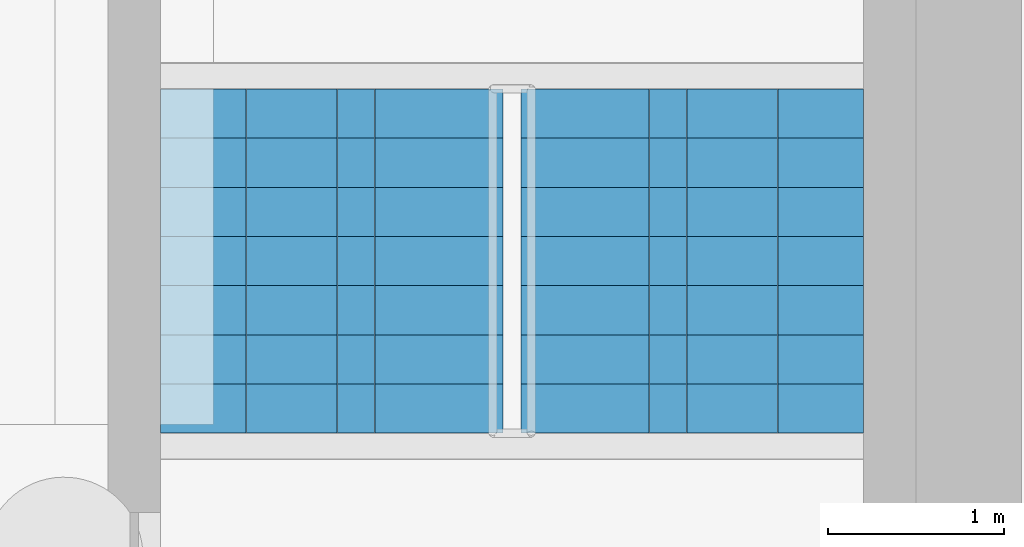
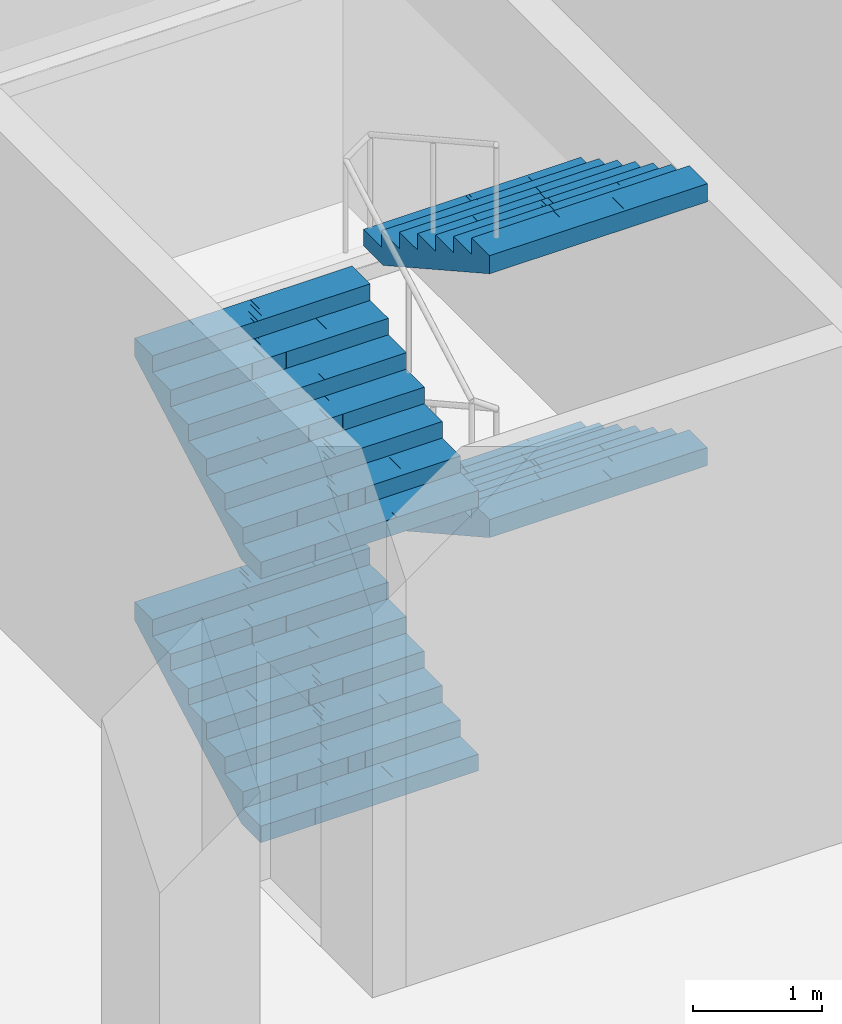
# One storey, part 19 of 31: 4 stair flights, 1 element without a shape of its own.
"""IFC4 building model written with IfcOpenShell, lengths in metres."""

from ifc_helpers import new_model, si_unit, direction, frame, origin, place, context, subcontext, project, spatial, polyline, outline, extrude, material, type_object, element, aggregate, save


model = new_model("IFC4")

# Units and contexts
model_context = context("Model", 3, precision=1e-05, world=origin(), true_north=direction((0.0, 1.0)))
body_context = subcontext(model_context, "Body", "Model", "MODEL_VIEW")
ifc_project = project(units=[si_unit("LENGTHUNIT", "METRE"), si_unit("AREAUNIT", "SQUARE_METRE"), si_unit("VOLUMEUNIT", "CUBIC_METRE"), si_unit("PLANEANGLEUNIT", "RADIAN"), si_unit("MASSUNIT", "GRAM", prefix="KILO")], contexts=[model_context])

# Site, building, storey
site_placement = place(None, origin())
site = spatial("IfcSite", under=ifc_project, at=site_placement, CompositionType="ELEMENT")
building_placement = place(site_placement, origin())
building = spatial("IfcBuilding", under=site, at=building_placement, Name="Mizan Broadcast Tower", CompositionType="ELEMENT")
storey_placement = place(building_placement, frame((0.0, 0.0, -10.0)))
storey = spatial("IfcBuildingStorey", under=building, at=storey_placement, Name="B2", CompositionType="ELEMENT", Elevation=-10.0)

# Stair, stair flights
ifc_material_1 = material(Name="Concrete C40/50", Category="concrete")
stair_type = type_object("IfcStairType", Name="EXIT STAIR", PredefinedType="HALF_TURN_STAIR", material=ifc_material_1)
stair_placement = place(storey_placement, origin())
stair = element("IfcStair", 1, at=stair_placement, inside=storey, type_object=stair_type, Name="Stair H B2", PredefinedType="HALF_TURN_STAIR")
ifc_material_2 = material(Name="Concrete C40/50", Category="concrete")
stair_flight_type = type_object("IfcStairFlightType", Name="EXIT STAIR FLIGHT", PredefinedType="STRAIGHT", material=ifc_material_2)
stair_flight_1_placement = place(storey_placement, frame((44.875, -39.949951171875, 0.0), z_axis=(0.0, 0.0, 1.0), x_axis=(0.0, 1.0, 0.0)))
stair_flight_1 = element("IfcStairFlight", 2, at=stair_flight_1_placement, type_object=stair_flight_type, Name="H flight 1", NumberOfRisers=8, NumberOfTreads=7, PredefinedType="STRAIGHT", RiserHeight=0.15625, TreadLength=0.28, context=body_context, shape_type="SweptSolid", body=[
    extrude(outline(polyline([(0.0, 0.0), (0.0, 0.15625), (0.280029296875, 0.15625), (0.280029296875, 0.3125), (0.56005859375, 0.3125), (0.56005859375, 0.46875), (0.840087890625, 0.46875), (0.840087890625, 0.625), (1.1201171875, 0.625), (1.1201171875, 0.78125), (1.39990234375, 0.78125), (1.39990234375, 0.9375), (1.679931640625, 0.9375), (1.679931640625, 1.09375), (1.9599609375, 1.09375), (1.9599609375, 1.25), (1.9599609375, 0.922119140625), (0.3076171875, 0.0), (0.0, 0.0)])), frame((0.0, 0.97509765625, 0.0), z_axis=(0.0, -1.0, 0.0), x_axis=(1.0, 0.0, 0.0)), (0.0, 0.0, 1.0), 0.4873046875),
    extrude(outline(polyline([(0.0, 0.0), (0.0, 0.15625), (0.280029296875, 0.15625), (0.280029296875, 0.3125), (0.56005859375, 0.3125), (0.56005859375, 0.46875), (0.840087890625, 0.46875), (0.840087890625, 0.625), (1.1201171875, 0.625), (1.1201171875, 0.78125), (1.39990234375, 0.78125), (1.39990234375, 0.9375), (1.679931640625, 0.9375), (1.679931640625, 1.09375), (1.9599609375, 1.09375), (1.9599609375, 1.25), (1.9599609375, 0.922119140625), (0.3076171875, 0.0), (0.0, 0.0)])), frame((0.0, 0.4873046875, 0.0), z_axis=(0.0, -1.0, 0.0), x_axis=(1.0, 0.0, 0.0)), (0.0, 0.0, 1.0), 0.2431640625),
    extrude(outline(polyline([(0.0, 0.0), (0.0, 0.15625), (0.280029296875, 0.15625), (0.280029296875, 0.3125), (0.56005859375, 0.3125), (0.56005859375, 0.46875), (0.840087890625, 0.46875), (0.840087890625, 0.625), (1.1201171875, 0.625), (1.1201171875, 0.78125), (1.39990234375, 0.78125), (1.39990234375, 0.9375), (1.679931640625, 0.9375), (1.679931640625, 1.09375), (1.9599609375, 1.09375), (1.9599609375, 1.25), (1.9599609375, 0.922119140625), (0.3076171875, 0.0), (0.0, 0.0)])), frame((0.0, 0.24365234375, 0.0), z_axis=(0.0, -1.0, 0.0), x_axis=(1.0, 0.0, 0.0)), (0.0, 0.0, 1.0), 0.121337890625),
    extrude(outline(polyline([(0.0, 0.0), (0.0, 0.15625), (0.280029296875, 0.15625), (0.280029296875, 0.3125), (0.56005859375, 0.3125), (0.56005859375, 0.46875), (0.840087890625, 0.46875), (0.840087890625, 0.625), (1.1201171875, 0.625), (1.1201171875, 0.78125), (1.39990234375, 0.78125), (1.39990234375, 0.9375), (1.679931640625, 0.9375), (1.679931640625, 1.09375), (1.9599609375, 1.09375), (1.9599609375, 1.25), (1.9599609375, 0.922119140625), (0.3076171875, 0.0), (0.0, 0.0)])), frame((0.0, 0.121826171875, 0.0), z_axis=(0.0, -1.0, 0.0), x_axis=(1.0, 0.0, 0.0)), (0.0, 0.0, 1.0), 0.060546875),
    extrude(outline(polyline([(0.0, 0.0), (0.0, 0.15625), (0.280029296875, 0.15625), (0.280029296875, 0.3125), (0.56005859375, 0.3125), (0.56005859375, 0.46875), (0.840087890625, 0.46875), (0.840087890625, 0.625), (1.1201171875, 0.625), (1.1201171875, 0.78125), (1.39990234375, 0.78125), (1.39990234375, 0.9375), (1.679931640625, 0.9375), (1.679931640625, 1.09375), (1.9599609375, 1.09375), (1.9599609375, 1.25), (1.9599609375, 0.922119140625), (0.3076171875, 0.0), (0.0, 0.0)])), frame((0.0, 0.060791015625, 0.0), z_axis=(0.0, -1.0, 0.0), x_axis=(1.0, 0.0, 0.0)), (0.0, 0.0, 1.0), 0.030029296875),
    extrude(outline(polyline([(0.0, 0.0), (0.0, 0.15625), (0.280029296875, 0.15625), (0.280029296875, 0.3125), (0.56005859375, 0.3125), (0.56005859375, 0.46875), (0.840087890625, 0.46875), (0.840087890625, 0.625), (1.1201171875, 0.625), (1.1201171875, 0.78125), (1.39990234375, 0.78125), (1.39990234375, 0.9375), (1.679931640625, 0.9375), (1.679931640625, 1.09375), (1.9599609375, 1.09375), (1.9599609375, 1.25), (1.9599609375, 0.922119140625), (0.3076171875, 0.0), (0.0, 0.0)])), frame((0.0, 0.0302734375, 0.0), z_axis=(0.0, -1.0, 0.0), x_axis=(1.0, 0.0, 0.0)), (0.0, 0.0, 1.0), 0.060302734375),
    extrude(outline(polyline([(0.0, 0.0), (0.0, 0.15625), (0.280029296875, 0.15625), (0.280029296875, 0.3125), (0.56005859375, 0.3125), (0.56005859375, 0.46875), (0.840087890625, 0.46875), (0.840087890625, 0.625), (1.1201171875, 0.625), (1.1201171875, 0.78125), (1.39990234375, 0.78125), (1.39990234375, 0.9375), (1.679931640625, 0.9375), (1.679931640625, 1.09375), (1.9599609375, 1.09375), (1.9599609375, 1.25), (1.9599609375, 0.922119140625), (0.3076171875, 0.0), (0.0, 0.0)])), frame((0.0, -0.030517578125, 0.0), z_axis=(0.0, -1.0, 0.0), x_axis=(1.0, 0.0, 0.0)), (0.0, 0.0, 1.0), 0.030029296875),
    extrude(outline(polyline([(0.0, 0.0), (0.0, 0.15625), (0.280029296875, 0.15625), (0.280029296875, 0.3125), (0.56005859375, 0.3125), (0.56005859375, 0.46875), (0.840087890625, 0.46875), (0.840087890625, 0.625), (1.1201171875, 0.625), (1.1201171875, 0.78125), (1.39990234375, 0.78125), (1.39990234375, 0.9375), (1.679931640625, 0.9375), (1.679931640625, 1.09375), (1.9599609375, 1.09375), (1.9599609375, 1.25), (1.9599609375, 0.922119140625), (0.3076171875, 0.0), (0.0, 0.0)])), frame((0.0, -0.06103515625, 0.0), z_axis=(0.0, -1.0, 0.0), x_axis=(1.0, 0.0, 0.0)), (0.0, 0.0, 1.0), 0.060546875),
    extrude(outline(polyline([(0.0, 0.0), (0.0, 0.15625), (0.280029296875, 0.15625), (0.280029296875, 0.3125), (0.56005859375, 0.3125), (0.56005859375, 0.46875), (0.840087890625, 0.46875), (0.840087890625, 0.625), (1.1201171875, 0.625), (1.1201171875, 0.78125), (1.39990234375, 0.78125), (1.39990234375, 0.9375), (1.679931640625, 0.9375), (1.679931640625, 1.09375), (1.9599609375, 1.09375), (1.9599609375, 1.25), (1.9599609375, 0.922119140625), (0.3076171875, 0.0), (0.0, 0.0)])), frame((0.0, -0.1220703125, 0.0), z_axis=(0.0, -1.0, 0.0), x_axis=(1.0, 0.0, 0.0)), (0.0, 0.0, 1.0), 0.121337890625),
    extrude(outline(polyline([(0.0, 0.0), (0.0, 0.15625), (0.280029296875, 0.15625), (0.280029296875, 0.3125), (0.56005859375, 0.3125), (0.56005859375, 0.46875), (0.840087890625, 0.46875), (0.840087890625, 0.625), (1.1201171875, 0.625), (1.1201171875, 0.78125), (1.39990234375, 0.78125), (1.39990234375, 0.9375), (1.679931640625, 0.9375), (1.679931640625, 1.09375), (1.9599609375, 1.09375), (1.9599609375, 1.25), (1.9599609375, 0.922119140625), (0.3076171875, 0.0), (0.0, 0.0)])), frame((0.0, -0.243896484375, 0.0), z_axis=(0.0, -1.0, 0.0), x_axis=(1.0, 0.0, 0.0)), (0.0, 0.0, 1.0), 0.2431640625),
    extrude(outline(polyline([(0.0, 0.0), (0.0, 0.15625), (0.280029296875, 0.15625), (0.280029296875, 0.3125), (0.56005859375, 0.3125), (0.56005859375, 0.46875), (0.840087890625, 0.46875), (0.840087890625, 0.625), (1.1201171875, 0.625), (1.1201171875, 0.78125), (1.39990234375, 0.78125), (1.39990234375, 0.9375), (1.679931640625, 0.9375), (1.679931640625, 1.09375), (1.9599609375, 1.09375), (1.9599609375, 1.25), (1.9599609375, 0.922119140625), (0.3076171875, 0.0), (0.0, 0.0)])), frame((0.0, -0.487548828125, 0.0), z_axis=(0.0, -1.0, 0.0), x_axis=(1.0, 0.0, 0.0)), (0.0, 0.0, 1.0), 0.4873046875),
])
stair_flight_2_placement = place(storey_placement, frame((46.925048828125, -37.989990234375, 1.25), z_axis=(0.0, 0.0, 1.0), x_axis=(0.0, -1.0, 0.0)))
stair_flight_2 = element("IfcStairFlight", 3, at=stair_flight_2_placement, type_object=stair_flight_type, Name="H flight 2", NumberOfRisers=8, NumberOfTreads=7, PredefinedType="STRAIGHT", RiserHeight=0.15625, TreadLength=0.28, context=body_context, shape_type="SweptSolid", body=[
    extrude(outline(polyline([(0.0, 0.0), (0.0, 0.15625), (0.280029296875, 0.15625), (0.280029296875, 0.3125), (0.56005859375, 0.3125), (0.56005859375, 0.46875), (0.840087890625, 0.46875), (0.840087890625, 0.625), (1.1201171875, 0.625), (1.1201171875, 0.78125), (1.39990234375, 0.78125), (1.39990234375, 0.9375), (1.679931640625, 0.9375), (1.679931640625, 1.09375), (1.9599609375, 1.09375), (1.9599609375, 1.25), (1.9599609375, 0.922119140625), (0.3076171875, 0.0), (0.0, 0.0)])), frame((0.0, 0.97509765625, 0.0), z_axis=(0.0, -1.0, 0.0), x_axis=(1.0, 0.0, 0.0)), (0.0, 0.0, 1.0), 0.4873046875),
    extrude(outline(polyline([(0.0, 0.0), (0.0, 0.15625), (0.280029296875, 0.15625), (0.280029296875, 0.3125), (0.56005859375, 0.3125), (0.56005859375, 0.46875), (0.840087890625, 0.46875), (0.840087890625, 0.625), (1.1201171875, 0.625), (1.1201171875, 0.78125), (1.39990234375, 0.78125), (1.39990234375, 0.9375), (1.679931640625, 0.9375), (1.679931640625, 1.09375), (1.9599609375, 1.09375), (1.9599609375, 1.25), (1.9599609375, 0.922119140625), (0.3076171875, 0.0), (0.0, 0.0)])), frame((0.0, 0.4873046875, 0.0), z_axis=(0.0, -1.0, 0.0), x_axis=(1.0, 0.0, 0.0)), (0.0, 0.0, 1.0), 0.2431640625),
    extrude(outline(polyline([(0.0, 0.0), (0.0, 0.15625), (0.280029296875, 0.15625), (0.280029296875, 0.3125), (0.56005859375, 0.3125), (0.56005859375, 0.46875), (0.840087890625, 0.46875), (0.840087890625, 0.625), (1.1201171875, 0.625), (1.1201171875, 0.78125), (1.39990234375, 0.78125), (1.39990234375, 0.9375), (1.679931640625, 0.9375), (1.679931640625, 1.09375), (1.9599609375, 1.09375), (1.9599609375, 1.25), (1.9599609375, 0.922119140625), (0.3076171875, 0.0), (0.0, 0.0)])), frame((0.0, 0.24365234375, 0.0), z_axis=(0.0, -1.0, 0.0), x_axis=(1.0, 0.0, 0.0)), (0.0, 0.0, 1.0), 0.121337890625),
    extrude(outline(polyline([(0.0, 0.0), (0.0, 0.15625), (0.280029296875, 0.15625), (0.280029296875, 0.3125), (0.56005859375, 0.3125), (0.56005859375, 0.46875), (0.840087890625, 0.46875), (0.840087890625, 0.625), (1.1201171875, 0.625), (1.1201171875, 0.78125), (1.39990234375, 0.78125), (1.39990234375, 0.9375), (1.679931640625, 0.9375), (1.679931640625, 1.09375), (1.9599609375, 1.09375), (1.9599609375, 1.25), (1.9599609375, 0.922119140625), (0.3076171875, 0.0), (0.0, 0.0)])), frame((0.0, 0.121826171875, 0.0), z_axis=(0.0, -1.0, 0.0), x_axis=(1.0, 0.0, 0.0)), (0.0, 0.0, 1.0), 0.060546875),
    extrude(outline(polyline([(0.0, 0.0), (0.0, 0.15625), (0.280029296875, 0.15625), (0.280029296875, 0.3125), (0.56005859375, 0.3125), (0.56005859375, 0.46875), (0.840087890625, 0.46875), (0.840087890625, 0.625), (1.1201171875, 0.625), (1.1201171875, 0.78125), (1.39990234375, 0.78125), (1.39990234375, 0.9375), (1.679931640625, 0.9375), (1.679931640625, 1.09375), (1.9599609375, 1.09375), (1.9599609375, 1.25), (1.9599609375, 0.922119140625), (0.3076171875, 0.0), (0.0, 0.0)])), frame((0.0, 0.060791015625, 0.0), z_axis=(0.0, -1.0, 0.0), x_axis=(1.0, 0.0, 0.0)), (0.0, 0.0, 1.0), 0.030029296875),
    extrude(outline(polyline([(0.0, 0.0), (0.0, 0.15625), (0.280029296875, 0.15625), (0.280029296875, 0.3125), (0.56005859375, 0.3125), (0.56005859375, 0.46875), (0.840087890625, 0.46875), (0.840087890625, 0.625), (1.1201171875, 0.625), (1.1201171875, 0.78125), (1.39990234375, 0.78125), (1.39990234375, 0.9375), (1.679931640625, 0.9375), (1.679931640625, 1.09375), (1.9599609375, 1.09375), (1.9599609375, 1.25), (1.9599609375, 0.922119140625), (0.3076171875, 0.0), (0.0, 0.0)])), frame((0.0, 0.0302734375, 0.0), z_axis=(0.0, -1.0, 0.0), x_axis=(1.0, 0.0, 0.0)), (0.0, 0.0, 1.0), 0.060302734375),
    extrude(outline(polyline([(0.0, 0.0), (0.0, 0.15625), (0.280029296875, 0.15625), (0.280029296875, 0.3125), (0.56005859375, 0.3125), (0.56005859375, 0.46875), (0.840087890625, 0.46875), (0.840087890625, 0.625), (1.1201171875, 0.625), (1.1201171875, 0.78125), (1.39990234375, 0.78125), (1.39990234375, 0.9375), (1.679931640625, 0.9375), (1.679931640625, 1.09375), (1.9599609375, 1.09375), (1.9599609375, 1.25), (1.9599609375, 0.922119140625), (0.3076171875, 0.0), (0.0, 0.0)])), frame((0.0, -0.030517578125, 0.0), z_axis=(0.0, -1.0, 0.0), x_axis=(1.0, 0.0, 0.0)), (0.0, 0.0, 1.0), 0.030029296875),
    extrude(outline(polyline([(0.0, 0.0), (0.0, 0.15625), (0.280029296875, 0.15625), (0.280029296875, 0.3125), (0.56005859375, 0.3125), (0.56005859375, 0.46875), (0.840087890625, 0.46875), (0.840087890625, 0.625), (1.1201171875, 0.625), (1.1201171875, 0.78125), (1.39990234375, 0.78125), (1.39990234375, 0.9375), (1.679931640625, 0.9375), (1.679931640625, 1.09375), (1.9599609375, 1.09375), (1.9599609375, 1.25), (1.9599609375, 0.922119140625), (0.3076171875, 0.0), (0.0, 0.0)])), frame((0.0, -0.06103515625, 0.0), z_axis=(0.0, -1.0, 0.0), x_axis=(1.0, 0.0, 0.0)), (0.0, 0.0, 1.0), 0.060546875),
    extrude(outline(polyline([(0.0, 0.0), (0.0, 0.15625), (0.280029296875, 0.15625), (0.280029296875, 0.3125), (0.56005859375, 0.3125), (0.56005859375, 0.46875), (0.840087890625, 0.46875), (0.840087890625, 0.625), (1.1201171875, 0.625), (1.1201171875, 0.78125), (1.39990234375, 0.78125), (1.39990234375, 0.9375), (1.679931640625, 0.9375), (1.679931640625, 1.09375), (1.9599609375, 1.09375), (1.9599609375, 1.25), (1.9599609375, 0.922119140625), (0.3076171875, 0.0), (0.0, 0.0)])), frame((0.0, -0.1220703125, 0.0), z_axis=(0.0, -1.0, 0.0), x_axis=(1.0, 0.0, 0.0)), (0.0, 0.0, 1.0), 0.121337890625),
    extrude(outline(polyline([(0.0, 0.0), (0.0, 0.15625), (0.280029296875, 0.15625), (0.280029296875, 0.3125), (0.56005859375, 0.3125), (0.56005859375, 0.46875), (0.840087890625, 0.46875), (0.840087890625, 0.625), (1.1201171875, 0.625), (1.1201171875, 0.78125), (1.39990234375, 0.78125), (1.39990234375, 0.9375), (1.679931640625, 0.9375), (1.679931640625, 1.09375), (1.9599609375, 1.09375), (1.9599609375, 1.25), (1.9599609375, 0.922119140625), (0.3076171875, 0.0), (0.0, 0.0)])), frame((0.0, -0.243896484375, 0.0), z_axis=(0.0, -1.0, 0.0), x_axis=(1.0, 0.0, 0.0)), (0.0, 0.0, 1.0), 0.2431640625),
    extrude(outline(polyline([(0.0, 0.0), (0.0, 0.15625), (0.280029296875, 0.15625), (0.280029296875, 0.3125), (0.56005859375, 0.3125), (0.56005859375, 0.46875), (0.840087890625, 0.46875), (0.840087890625, 0.625), (1.1201171875, 0.625), (1.1201171875, 0.78125), (1.39990234375, 0.78125), (1.39990234375, 0.9375), (1.679931640625, 0.9375), (1.679931640625, 1.09375), (1.9599609375, 1.09375), (1.9599609375, 1.25), (1.9599609375, 0.922119140625), (0.3076171875, 0.0), (0.0, 0.0)])), frame((0.0, -0.487548828125, 0.0), z_axis=(0.0, -1.0, 0.0), x_axis=(1.0, 0.0, 0.0)), (0.0, 0.0, 1.0), 0.4873046875),
])
stair_flight_3_placement = place(storey_placement, frame((44.875, -39.949951171875, 2.5), z_axis=(0.0, 0.0, 1.0), x_axis=(0.0, 1.0, 0.0)))
stair_flight_3 = element("IfcStairFlight", 4, at=stair_flight_3_placement, type_object=stair_flight_type, Name="H flight 3", NumberOfRisers=8, NumberOfTreads=7, PredefinedType="STRAIGHT", RiserHeight=0.15625, TreadLength=0.28, context=body_context, shape_type="SweptSolid", body=[
    extrude(outline(polyline([(0.0, 0.0), (0.0, 0.15625), (0.280029296875, 0.15625), (0.280029296875, 0.3125), (0.56005859375, 0.3125), (0.56005859375, 0.46875), (0.840087890625, 0.46875), (0.840087890625, 0.625), (1.1201171875, 0.625), (1.1201171875, 0.78125), (1.39990234375, 0.78125), (1.39990234375, 0.9375), (1.679931640625, 0.9375), (1.679931640625, 1.09375), (1.9599609375, 1.09375), (1.9599609375, 1.25), (1.9599609375, 0.922119140625), (0.3076171875, 0.0), (0.0, 0.0)])), frame((0.0, 0.97509765625, 0.0), z_axis=(0.0, -1.0, 0.0), x_axis=(1.0, 0.0, 0.0)), (0.0, 0.0, 1.0), 0.4873046875),
    extrude(outline(polyline([(0.0, 0.0), (0.0, 0.15625), (0.280029296875, 0.15625), (0.280029296875, 0.3125), (0.56005859375, 0.3125), (0.56005859375, 0.46875), (0.840087890625, 0.46875), (0.840087890625, 0.625), (1.1201171875, 0.625), (1.1201171875, 0.78125), (1.39990234375, 0.78125), (1.39990234375, 0.9375), (1.679931640625, 0.9375), (1.679931640625, 1.09375), (1.9599609375, 1.09375), (1.9599609375, 1.25), (1.9599609375, 0.922119140625), (0.3076171875, 0.0), (0.0, 0.0)])), frame((0.0, 0.4873046875, 0.0), z_axis=(0.0, -1.0, 0.0), x_axis=(1.0, 0.0, 0.0)), (0.0, 0.0, 1.0), 0.2431640625),
    extrude(outline(polyline([(0.0, 0.0), (0.0, 0.15625), (0.280029296875, 0.15625), (0.280029296875, 0.3125), (0.56005859375, 0.3125), (0.56005859375, 0.46875), (0.840087890625, 0.46875), (0.840087890625, 0.625), (1.1201171875, 0.625), (1.1201171875, 0.78125), (1.39990234375, 0.78125), (1.39990234375, 0.9375), (1.679931640625, 0.9375), (1.679931640625, 1.09375), (1.9599609375, 1.09375), (1.9599609375, 1.25), (1.9599609375, 0.922119140625), (0.3076171875, 0.0), (0.0, 0.0)])), frame((0.0, 0.24365234375, 0.0), z_axis=(0.0, -1.0, 0.0), x_axis=(1.0, 0.0, 0.0)), (0.0, 0.0, 1.0), 0.121337890625),
    extrude(outline(polyline([(0.0, 0.0), (0.0, 0.15625), (0.280029296875, 0.15625), (0.280029296875, 0.3125), (0.56005859375, 0.3125), (0.56005859375, 0.46875), (0.840087890625, 0.46875), (0.840087890625, 0.625), (1.1201171875, 0.625), (1.1201171875, 0.78125), (1.39990234375, 0.78125), (1.39990234375, 0.9375), (1.679931640625, 0.9375), (1.679931640625, 1.09375), (1.9599609375, 1.09375), (1.9599609375, 1.25), (1.9599609375, 0.922119140625), (0.3076171875, 0.0), (0.0, 0.0)])), frame((0.0, 0.121826171875, 0.0), z_axis=(0.0, -1.0, 0.0), x_axis=(1.0, 0.0, 0.0)), (0.0, 0.0, 1.0), 0.060546875),
    extrude(outline(polyline([(0.0, 0.0), (0.0, 0.15625), (0.280029296875, 0.15625), (0.280029296875, 0.3125), (0.56005859375, 0.3125), (0.56005859375, 0.46875), (0.840087890625, 0.46875), (0.840087890625, 0.625), (1.1201171875, 0.625), (1.1201171875, 0.78125), (1.39990234375, 0.78125), (1.39990234375, 0.9375), (1.679931640625, 0.9375), (1.679931640625, 1.09375), (1.9599609375, 1.09375), (1.9599609375, 1.25), (1.9599609375, 0.922119140625), (0.3076171875, 0.0), (0.0, 0.0)])), frame((0.0, 0.060791015625, 0.0), z_axis=(0.0, -1.0, 0.0), x_axis=(1.0, 0.0, 0.0)), (0.0, 0.0, 1.0), 0.030029296875),
    extrude(outline(polyline([(0.0, 0.0), (0.0, 0.15625), (0.280029296875, 0.15625), (0.280029296875, 0.3125), (0.56005859375, 0.3125), (0.56005859375, 0.46875), (0.840087890625, 0.46875), (0.840087890625, 0.625), (1.1201171875, 0.625), (1.1201171875, 0.78125), (1.39990234375, 0.78125), (1.39990234375, 0.9375), (1.679931640625, 0.9375), (1.679931640625, 1.09375), (1.9599609375, 1.09375), (1.9599609375, 1.25), (1.9599609375, 0.922119140625), (0.3076171875, 0.0), (0.0, 0.0)])), frame((0.0, 0.0302734375, 0.0), z_axis=(0.0, -1.0, 0.0), x_axis=(1.0, 0.0, 0.0)), (0.0, 0.0, 1.0), 0.060302734375),
    extrude(outline(polyline([(0.0, 0.0), (0.0, 0.15625), (0.280029296875, 0.15625), (0.280029296875, 0.3125), (0.56005859375, 0.3125), (0.56005859375, 0.46875), (0.840087890625, 0.46875), (0.840087890625, 0.625), (1.1201171875, 0.625), (1.1201171875, 0.78125), (1.39990234375, 0.78125), (1.39990234375, 0.9375), (1.679931640625, 0.9375), (1.679931640625, 1.09375), (1.9599609375, 1.09375), (1.9599609375, 1.25), (1.9599609375, 0.922119140625), (0.3076171875, 0.0), (0.0, 0.0)])), frame((0.0, -0.030517578125, 0.0), z_axis=(0.0, -1.0, 0.0), x_axis=(1.0, 0.0, 0.0)), (0.0, 0.0, 1.0), 0.030029296875),
    extrude(outline(polyline([(0.0, 0.0), (0.0, 0.15625), (0.280029296875, 0.15625), (0.280029296875, 0.3125), (0.56005859375, 0.3125), (0.56005859375, 0.46875), (0.840087890625, 0.46875), (0.840087890625, 0.625), (1.1201171875, 0.625), (1.1201171875, 0.78125), (1.39990234375, 0.78125), (1.39990234375, 0.9375), (1.679931640625, 0.9375), (1.679931640625, 1.09375), (1.9599609375, 1.09375), (1.9599609375, 1.25), (1.9599609375, 0.922119140625), (0.3076171875, 0.0), (0.0, 0.0)])), frame((0.0, -0.06103515625, 0.0), z_axis=(0.0, -1.0, 0.0), x_axis=(1.0, 0.0, 0.0)), (0.0, 0.0, 1.0), 0.060546875),
    extrude(outline(polyline([(0.0, 0.0), (0.0, 0.15625), (0.280029296875, 0.15625), (0.280029296875, 0.3125), (0.56005859375, 0.3125), (0.56005859375, 0.46875), (0.840087890625, 0.46875), (0.840087890625, 0.625), (1.1201171875, 0.625), (1.1201171875, 0.78125), (1.39990234375, 0.78125), (1.39990234375, 0.9375), (1.679931640625, 0.9375), (1.679931640625, 1.09375), (1.9599609375, 1.09375), (1.9599609375, 1.25), (1.9599609375, 0.922119140625), (0.3076171875, 0.0), (0.0, 0.0)])), frame((0.0, -0.1220703125, 0.0), z_axis=(0.0, -1.0, 0.0), x_axis=(1.0, 0.0, 0.0)), (0.0, 0.0, 1.0), 0.121337890625),
    extrude(outline(polyline([(0.0, 0.0), (0.0, 0.15625), (0.280029296875, 0.15625), (0.280029296875, 0.3125), (0.56005859375, 0.3125), (0.56005859375, 0.46875), (0.840087890625, 0.46875), (0.840087890625, 0.625), (1.1201171875, 0.625), (1.1201171875, 0.78125), (1.39990234375, 0.78125), (1.39990234375, 0.9375), (1.679931640625, 0.9375), (1.679931640625, 1.09375), (1.9599609375, 1.09375), (1.9599609375, 1.25), (1.9599609375, 0.922119140625), (0.3076171875, 0.0), (0.0, 0.0)])), frame((0.0, -0.243896484375, 0.0), z_axis=(0.0, -1.0, 0.0), x_axis=(1.0, 0.0, 0.0)), (0.0, 0.0, 1.0), 0.2431640625),
    extrude(outline(polyline([(0.0, 0.0), (0.0, 0.15625), (0.280029296875, 0.15625), (0.280029296875, 0.3125), (0.56005859375, 0.3125), (0.56005859375, 0.46875), (0.840087890625, 0.46875), (0.840087890625, 0.625), (1.1201171875, 0.625), (1.1201171875, 0.78125), (1.39990234375, 0.78125), (1.39990234375, 0.9375), (1.679931640625, 0.9375), (1.679931640625, 1.09375), (1.9599609375, 1.09375), (1.9599609375, 1.25), (1.9599609375, 0.922119140625), (0.3076171875, 0.0), (0.0, 0.0)])), frame((0.0, -0.487548828125, 0.0), z_axis=(0.0, -1.0, 0.0), x_axis=(1.0, 0.0, 0.0)), (0.0, 0.0, 1.0), 0.4873046875),
])
stair_flight_4_placement = place(storey_placement, frame((46.925048828125, -37.989990234375, 3.75), z_axis=(0.0, 0.0, 1.0), x_axis=(0.0, -1.0, 0.0)))
stair_flight_4 = element("IfcStairFlight", 5, at=stair_flight_4_placement, type_object=stair_flight_type, Name="H flight 4", NumberOfRisers=8, NumberOfTreads=7, PredefinedType="STRAIGHT", RiserHeight=0.15625, TreadLength=0.28, context=body_context, shape_type="SweptSolid", body=[
    extrude(outline(polyline([(0.0, 0.0), (0.0, 0.15625), (0.280029296875, 0.15625), (0.280029296875, 0.3125), (0.56005859375, 0.3125), (0.56005859375, 0.46875), (0.840087890625, 0.46875), (0.840087890625, 0.625), (1.1201171875, 0.625), (1.1201171875, 0.78125), (1.39990234375, 0.78125), (1.39990234375, 0.9375), (1.679931640625, 0.9375), (1.679931640625, 1.09375), (1.9599609375, 1.09375), (1.9599609375, 1.25), (1.9599609375, 0.922119140625), (0.3076171875, 0.0), (0.0, 0.0)])), frame((0.0, 0.97509765625, 0.0), z_axis=(0.0, -1.0, 0.0), x_axis=(1.0, 0.0, 0.0)), (0.0, 0.0, 1.0), 0.4873046875),
    extrude(outline(polyline([(0.0, 0.0), (0.0, 0.15625), (0.280029296875, 0.15625), (0.280029296875, 0.3125), (0.56005859375, 0.3125), (0.56005859375, 0.46875), (0.840087890625, 0.46875), (0.840087890625, 0.625), (1.1201171875, 0.625), (1.1201171875, 0.78125), (1.39990234375, 0.78125), (1.39990234375, 0.9375), (1.679931640625, 0.9375), (1.679931640625, 1.09375), (1.9599609375, 1.09375), (1.9599609375, 1.25), (1.9599609375, 0.922119140625), (0.3076171875, 0.0), (0.0, 0.0)])), frame((0.0, 0.4873046875, 0.0), z_axis=(0.0, -1.0, 0.0), x_axis=(1.0, 0.0, 0.0)), (0.0, 0.0, 1.0), 0.2431640625),
    extrude(outline(polyline([(0.0, 0.0), (0.0, 0.15625), (0.280029296875, 0.15625), (0.280029296875, 0.3125), (0.56005859375, 0.3125), (0.56005859375, 0.46875), (0.840087890625, 0.46875), (0.840087890625, 0.625), (1.1201171875, 0.625), (1.1201171875, 0.78125), (1.39990234375, 0.78125), (1.39990234375, 0.9375), (1.679931640625, 0.9375), (1.679931640625, 1.09375), (1.9599609375, 1.09375), (1.9599609375, 1.25), (1.9599609375, 0.922119140625), (0.3076171875, 0.0), (0.0, 0.0)])), frame((0.0, 0.24365234375, 0.0), z_axis=(0.0, -1.0, 0.0), x_axis=(1.0, 0.0, 0.0)), (0.0, 0.0, 1.0), 0.121337890625),
    extrude(outline(polyline([(0.0, 0.0), (0.0, 0.15625), (0.280029296875, 0.15625), (0.280029296875, 0.3125), (0.56005859375, 0.3125), (0.56005859375, 0.46875), (0.840087890625, 0.46875), (0.840087890625, 0.625), (1.1201171875, 0.625), (1.1201171875, 0.78125), (1.39990234375, 0.78125), (1.39990234375, 0.9375), (1.679931640625, 0.9375), (1.679931640625, 1.09375), (1.9599609375, 1.09375), (1.9599609375, 1.25), (1.9599609375, 0.922119140625), (0.3076171875, 0.0), (0.0, 0.0)])), frame((0.0, 0.121826171875, 0.0), z_axis=(0.0, -1.0, 0.0), x_axis=(1.0, 0.0, 0.0)), (0.0, 0.0, 1.0), 0.060546875),
    extrude(outline(polyline([(0.0, 0.0), (0.0, 0.15625), (0.280029296875, 0.15625), (0.280029296875, 0.3125), (0.56005859375, 0.3125), (0.56005859375, 0.46875), (0.840087890625, 0.46875), (0.840087890625, 0.625), (1.1201171875, 0.625), (1.1201171875, 0.78125), (1.39990234375, 0.78125), (1.39990234375, 0.9375), (1.679931640625, 0.9375), (1.679931640625, 1.09375), (1.9599609375, 1.09375), (1.9599609375, 1.25), (1.9599609375, 0.922119140625), (0.3076171875, 0.0), (0.0, 0.0)])), frame((0.0, 0.060791015625, 0.0), z_axis=(0.0, -1.0, 0.0), x_axis=(1.0, 0.0, 0.0)), (0.0, 0.0, 1.0), 0.030029296875),
    extrude(outline(polyline([(0.0, 0.0), (0.0, 0.15625), (0.280029296875, 0.15625), (0.280029296875, 0.3125), (0.56005859375, 0.3125), (0.56005859375, 0.46875), (0.840087890625, 0.46875), (0.840087890625, 0.625), (1.1201171875, 0.625), (1.1201171875, 0.78125), (1.39990234375, 0.78125), (1.39990234375, 0.9375), (1.679931640625, 0.9375), (1.679931640625, 1.09375), (1.9599609375, 1.09375), (1.9599609375, 1.25), (1.9599609375, 0.922119140625), (0.3076171875, 0.0), (0.0, 0.0)])), frame((0.0, 0.0302734375, 0.0), z_axis=(0.0, -1.0, 0.0), x_axis=(1.0, 0.0, 0.0)), (0.0, 0.0, 1.0), 0.060302734375),
    extrude(outline(polyline([(0.0, 0.0), (0.0, 0.15625), (0.280029296875, 0.15625), (0.280029296875, 0.3125), (0.56005859375, 0.3125), (0.56005859375, 0.46875), (0.840087890625, 0.46875), (0.840087890625, 0.625), (1.1201171875, 0.625), (1.1201171875, 0.78125), (1.39990234375, 0.78125), (1.39990234375, 0.9375), (1.679931640625, 0.9375), (1.679931640625, 1.09375), (1.9599609375, 1.09375), (1.9599609375, 1.25), (1.9599609375, 0.922119140625), (0.3076171875, 0.0), (0.0, 0.0)])), frame((0.0, -0.030517578125, 0.0), z_axis=(0.0, -1.0, 0.0), x_axis=(1.0, 0.0, 0.0)), (0.0, 0.0, 1.0), 0.030029296875),
    extrude(outline(polyline([(0.0, 0.0), (0.0, 0.15625), (0.280029296875, 0.15625), (0.280029296875, 0.3125), (0.56005859375, 0.3125), (0.56005859375, 0.46875), (0.840087890625, 0.46875), (0.840087890625, 0.625), (1.1201171875, 0.625), (1.1201171875, 0.78125), (1.39990234375, 0.78125), (1.39990234375, 0.9375), (1.679931640625, 0.9375), (1.679931640625, 1.09375), (1.9599609375, 1.09375), (1.9599609375, 1.25), (1.9599609375, 0.922119140625), (0.3076171875, 0.0), (0.0, 0.0)])), frame((0.0, -0.06103515625, 0.0), z_axis=(0.0, -1.0, 0.0), x_axis=(1.0, 0.0, 0.0)), (0.0, 0.0, 1.0), 0.060546875),
    extrude(outline(polyline([(0.0, 0.0), (0.0, 0.15625), (0.280029296875, 0.15625), (0.280029296875, 0.3125), (0.56005859375, 0.3125), (0.56005859375, 0.46875), (0.840087890625, 0.46875), (0.840087890625, 0.625), (1.1201171875, 0.625), (1.1201171875, 0.78125), (1.39990234375, 0.78125), (1.39990234375, 0.9375), (1.679931640625, 0.9375), (1.679931640625, 1.09375), (1.9599609375, 1.09375), (1.9599609375, 1.25), (1.9599609375, 0.922119140625), (0.3076171875, 0.0), (0.0, 0.0)])), frame((0.0, -0.1220703125, 0.0), z_axis=(0.0, -1.0, 0.0), x_axis=(1.0, 0.0, 0.0)), (0.0, 0.0, 1.0), 0.121337890625),
    extrude(outline(polyline([(0.0, 0.0), (0.0, 0.15625), (0.280029296875, 0.15625), (0.280029296875, 0.3125), (0.56005859375, 0.3125), (0.56005859375, 0.46875), (0.840087890625, 0.46875), (0.840087890625, 0.625), (1.1201171875, 0.625), (1.1201171875, 0.78125), (1.39990234375, 0.78125), (1.39990234375, 0.9375), (1.679931640625, 0.9375), (1.679931640625, 1.09375), (1.9599609375, 1.09375), (1.9599609375, 1.25), (1.9599609375, 0.922119140625), (0.3076171875, 0.0), (0.0, 0.0)])), frame((0.0, -0.243896484375, 0.0), z_axis=(0.0, -1.0, 0.0), x_axis=(1.0, 0.0, 0.0)), (0.0, 0.0, 1.0), 0.2431640625),
    extrude(outline(polyline([(0.0, 0.0), (0.0, 0.15625), (0.280029296875, 0.15625), (0.280029296875, 0.3125), (0.56005859375, 0.3125), (0.56005859375, 0.46875), (0.840087890625, 0.46875), (0.840087890625, 0.625), (1.1201171875, 0.625), (1.1201171875, 0.78125), (1.39990234375, 0.78125), (1.39990234375, 0.9375), (1.679931640625, 0.9375), (1.679931640625, 1.09375), (1.9599609375, 1.09375), (1.9599609375, 1.25), (1.9599609375, 0.922119140625), (0.3076171875, 0.0), (0.0, 0.0)])), frame((0.0, -0.487548828125, 0.0), z_axis=(0.0, -1.0, 0.0), x_axis=(1.0, 0.0, 0.0)), (0.0, 0.0, 1.0), 0.4873046875),
])
aggregate(stair, [stair_flight_1, stair_flight_2, stair_flight_3, stair_flight_4])

save(model, "model.ifc")
